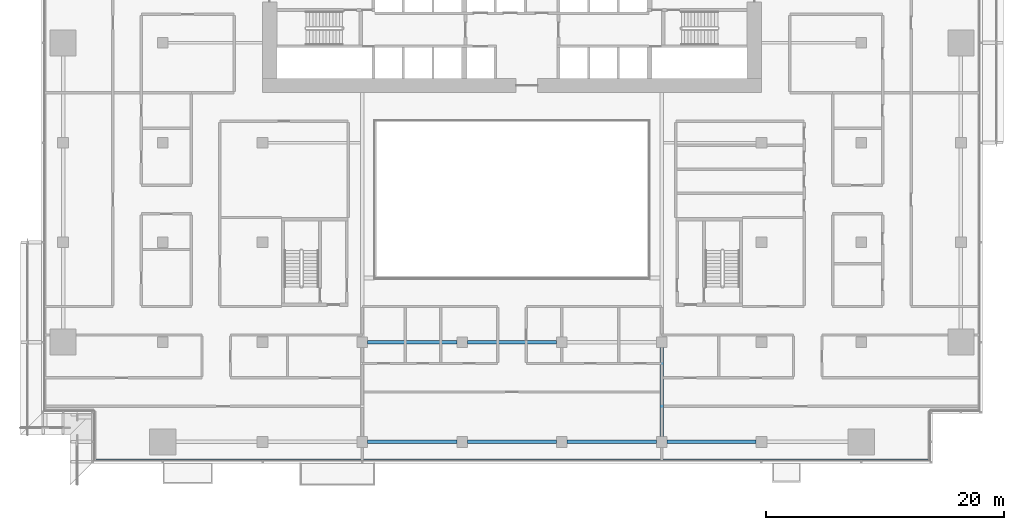
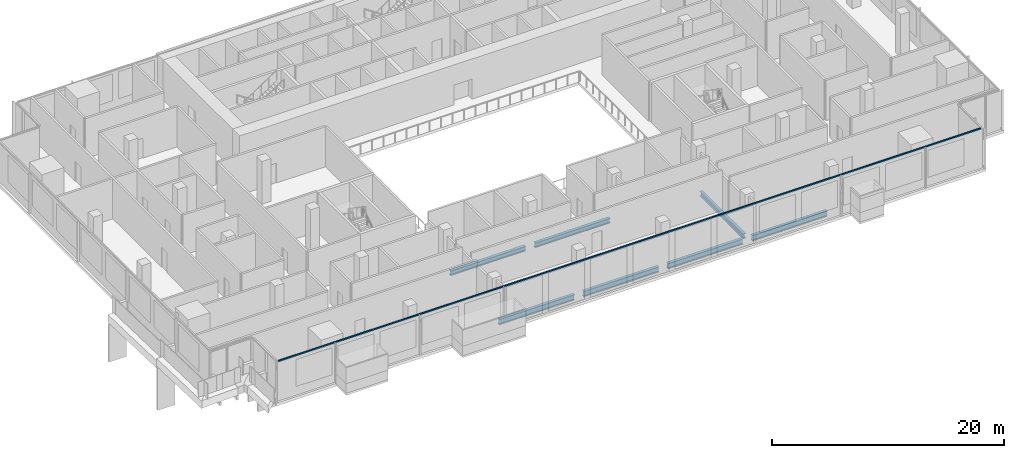
# One storey, part 3 of 23: 7 beams, 1 member, 1 element without a shape of its own.
"""IFC4 building model written with IfcOpenShell, lengths in metres."""

from ifc_helpers import new_model, si_unit, direction, frame, origin, origin_2d, place, context, subcontext, project, spatial, rectangle, i_section, extrude, material, material_profile, profile_set, type_object, element, aggregate, save


model = new_model("IFC4")

# Units and contexts
model_context = context("Model", 3, precision=1e-05, world=origin(), true_north=direction((0.0, 1.0)))
body_context = subcontext(model_context, "Body", "Model", "MODEL_VIEW")
ifc_project = project(units=[si_unit("LENGTHUNIT", "METRE"), si_unit("AREAUNIT", "SQUARE_METRE"), si_unit("VOLUMEUNIT", "CUBIC_METRE"), si_unit("PLANEANGLEUNIT", "RADIAN"), si_unit("MASSUNIT", "GRAM", prefix="KILO")], contexts=[model_context])

# Site, building, storey
site_placement = place(None, origin())
site = spatial("IfcSite", under=ifc_project, at=site_placement, CompositionType="ELEMENT")
building_placement = place(site_placement, origin())
building = spatial("IfcBuilding", under=site, at=building_placement, Name="Saffron Gate Tower", CompositionType="ELEMENT")
storey_placement = place(building_placement, frame((0.0, 0.0, 32.699951171875)))
storey = spatial("IfcBuildingStorey", under=building, at=storey_placement, Name="L06", CompositionType="ELEMENT", Elevation=32.699951171875)

# Beams
ifc_material_1 = material(Name="Structural steel S355", Category="steel")
ifc_material_profile_1 = material_profile(ifc_material_1, i_section(OverallWidth=0.300048828125, OverallDepth=0.590087890625, WebThickness=0.012939453125, FlangeThickness=0.02490234375, FilletRadius=0.027099609375, at=origin_2d()))
ifc_profile_set_1 = profile_set([ifc_material_profile_1], Name="Structural steel S355")
beam_type_1 = type_object("IfcBeamType", Name="B14 HEA 600", PredefinedType="SPANDREL", material=ifc_profile_set_1)
for number, where, z_axis, x_axis, name in (
    (1, (75.449951171875, 31.800048828125, -0.594970703125), (1.0, 0.0, 0.0), (0.0, 1.0, 0.0), "B14 SPANDREL BEAM"),
    (2, (83.85009765625, 31.800048828125, -0.594970703125), (1.0, 0.0, 0.0), (0.0, 1.0, 0.0), "B14 SPANDREL BEAM"),
    (3, (92.25, 31.800048828125, -0.594970703125), (1.0, 0.0, 0.0), (0.0, 1.0, 0.0), "B14 SPANDREL BEAM"),
    (4, (100.64990234375, 31.800048828125, -0.594970703125), (1.0, 0.0, 0.0), (0.0, 1.0, 0.0), "B14 SPANDREL BEAM"),
):
    element("IfcBeam", number, at=place(storey_placement, frame(where, z_axis=z_axis, x_axis=x_axis)), inside=storey, type_object=beam_type_1, Name=name, PredefinedType="SPANDREL", context=body_context, shape_type="SweptSolid", body=[
        extrude(i_section(OverallWidth=0.300048828125, OverallDepth=0.590087890625, WebThickness=0.012939453125, FlangeThickness=0.02490234375, FilletRadius=0.027099609375, at=origin_2d()), origin(), (0.0, 0.0, 1.0), 7.5),
    ])
ifc_material_profile_2 = material_profile(ifc_material_1, i_section(OverallWidth=0.300048828125, OverallDepth=0.5, WebThickness=0.014404296875, FlangeThickness=0.028076171875, FilletRadius=0.027099609375, at=origin_2d()))
ifc_profile_set_2 = profile_set([ifc_material_profile_2], Name="Structural steel S355")
beam_type_2 = type_object("IfcBeamType", Name="B9 HEB 500", PredefinedType="BEAM", material=ifc_profile_set_2)
for number, where, z_axis, x_axis, name in (
    (5, (100.199951171875, 32.25, -0.550048828125), (0.0, 1.0, 0.0), (-1.0, 0.0, 0.0), "B9 FLOOR GIRDER"),
    (6, (75.449951171875, 40.199951171875, -0.550048828125), (1.0, 0.0, 0.0), (0.0, 1.0, 0.0), "B9 FLOOR GIRDER"),
    (7, (83.85009765625, 40.199951171875, -0.550048828125), (1.0, 0.0, 0.0), (0.0, 1.0, 0.0), "B9 FLOOR GIRDER"),
):
    element("IfcBeam", number, at=place(storey_placement, frame(where, z_axis=z_axis, x_axis=x_axis)), inside=storey, type_object=beam_type_2, Name=name, PredefinedType="BEAM", context=body_context, shape_type="SweptSolid", body=[
        extrude(i_section(OverallWidth=0.300048828125, OverallDepth=0.5, WebThickness=0.014404296875, FlangeThickness=0.028076171875, FilletRadius=0.027099609375, at=origin_2d()), origin(), (0.0, 0.0, 1.0), 7.5),
    ])

# Curtain wall, member
ifc_material_2 = material(Name="Aluminium, bronze anodised", Category="aluminium")
curtain_wall_type = type_object("IfcCurtainWallType", Name="CWS6 curtain wall tall storeys", PredefinedType="NOTDEFINED", material=ifc_material_2)
curtain_wall_placement = place(storey_placement, origin())
curtain_wall = element("IfcCurtainWall", 8, at=curtain_wall_placement, inside=storey, type_object=curtain_wall_type, Name="CWS6 run 1", PredefinedType="NOTDEFINED")
ifc_material_profile_3 = material_profile(ifc_material_2, rectangle(XDim=0.1201171875, YDim=0.1201171875, at=origin_2d()))
ifc_profile_set_3 = profile_set([ifc_material_profile_3], Name="Aluminium, bronze anodised")
member_type = type_object("IfcMemberType", Name="CWS6 head transom", PredefinedType="USERDEFINED", material=ifc_profile_set_3)
member_placement = place(storey_placement, frame((52.60791015625, 30.2880859375, 4.16015625), z_axis=(1.0, 0.0, 0.0), x_axis=(0.0, 1.0, 0.0)))
member = element("IfcMember", 9, at=member_placement, type_object=member_type, Name="CWS6 head transom", ObjectType="TRANSOM", PredefinedType="USERDEFINED", context=body_context, shape_type="SweptSolid", body=[
    extrude(rectangle(XDim=0.1201171875, YDim=0.1201171875, at=origin_2d()), origin(), (0.0, 0.0, 1.0), 69.984130859375),
])
aggregate(curtain_wall, [member])

save(model, "model.ifc")
